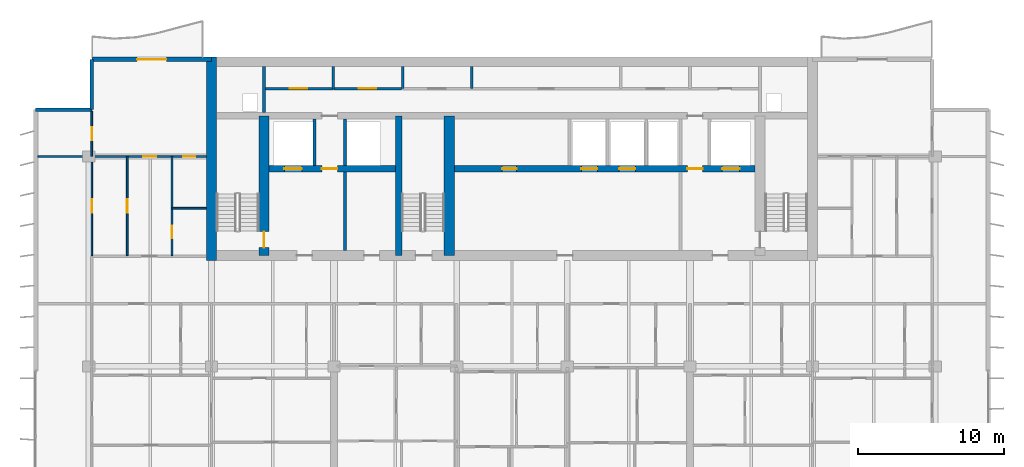
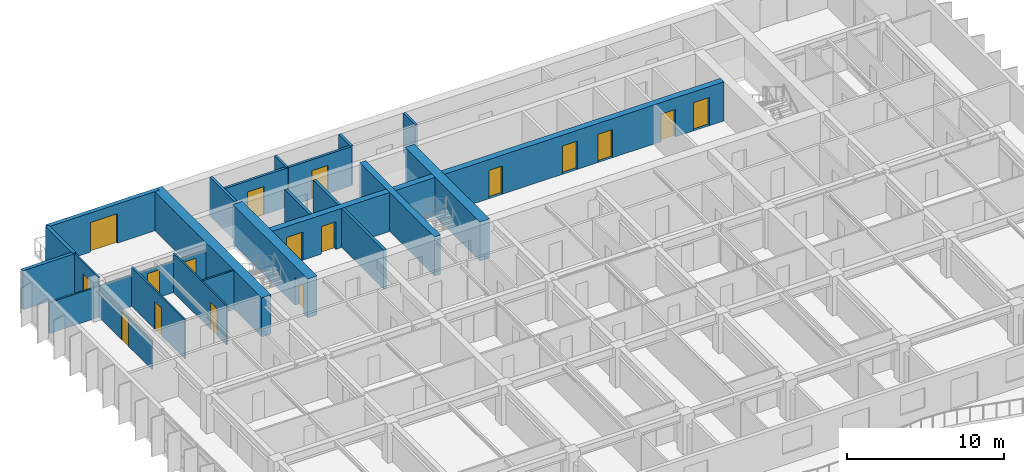
# One storey, part 12 of 18: 23 walls, 17 doors, 17 openings.
"""IFC4 building model written with IfcOpenShell, lengths in metres."""

from ifc_helpers import new_model, si_unit, direction, frame, frame_2d, origin, place, context, subcontext, project, spatial, rectangle, extrude, material, layer, layer_set, type_object, element, fill, save


model = new_model("IFC4")

# Units and contexts
model_context = context("Model", 3, precision=1e-05, world=origin(), true_north=direction((0.0, 1.0)))
body_context = subcontext(model_context, "Body", "Model", "MODEL_VIEW")
ifc_project = project(units=[si_unit("LENGTHUNIT", "METRE"), si_unit("AREAUNIT", "SQUARE_METRE"), si_unit("VOLUMEUNIT", "CUBIC_METRE"), si_unit("PLANEANGLEUNIT", "RADIAN"), si_unit("MASSUNIT", "GRAM", prefix="KILO")], contexts=[model_context])

# Site, building, storey
site_placement = place(None, origin())
site = spatial("IfcSite", under=ifc_project, at=site_placement, CompositionType="ELEMENT")
building_placement = place(site_placement, origin())
building = spatial("IfcBuilding", under=site, at=building_placement, Name="Caelmar Bay Residences", CompositionType="ELEMENT")
storey_placement = place(building_placement, frame((0.0, 0.0, 170.39990234375)))
storey = spatial("IfcBuildingStorey", under=building, at=storey_placement, Name="L47", CompositionType="ELEMENT", Elevation=170.39990234375)

# Wall
ifc_material_1 = material(Name="Concrete f'c 55 MPa (8,000 psi)", Category="concrete")
ifc_layer_1 = layer(ifc_material_1, 0.699951171875)
ifc_layer_set_1 = layer_set([ifc_layer_1], Name="Concrete f'c 55 MPa (8,000 psi)")
wall_type_1 = type_object("IfcWallType", Name="SW-COR-700", PredefinedType="SHEAR", material=ifc_layer_set_1)
wall_1_placement = place(storey_placement, frame((18.300048828125, 36.64990234375, 0.0), z_axis=(0.0, 0.0, 1.0), x_axis=(0.0, 1.0, 0.0)))
element("IfcWall", 1, at=wall_1_placement, inside=storey, type_object=wall_type_1, Name="L47 Rear Core West Shear Wall", PredefinedType="SHEAR", context=body_context, shape_type="SweptSolid", body=[
    extrude(rectangle(XDim=13.9501953125, YDim=0.699951171875, at=frame_2d((6.97509765625, 0.0))), origin(), (0.0, 0.0, 1.0), 3.050048828125),
])

# Wall, opening, door
wall_2_placement = place(storey_placement, frame((21.89990234375, 37.0, 0.0), z_axis=(0.0, 0.0, 1.0), x_axis=(0.0, 1.0, 0.0)))
wall_2 = element("IfcWall", 2, at=wall_2_placement, inside=storey, type_object=wall_type_1, Name="L47 Core Structural Web Wall ST1E", PredefinedType="SHEAR", context=body_context, shape_type="SweptSolid", body=[
    extrude(rectangle(XDim=9.574951171875, YDim=0.699951171875, at=frame_2d((4.78759765625, 0.0))), origin(), (0.0, 0.0, 1.0), 3.050048828125),
])
opening_1_placement = place(wall_2_placement, frame((0.550048828125, 0.0, 0.0)))
opening_1 = element("IfcOpeningElement", 3, at=opening_1_placement, cuts=wall_2, Name="Opening D-L47-107", PredefinedType="OPENING", context=body_context, shape_type="SweptSolid", body=[
    extrude(rectangle(XDim=1.10009765625, YDim=2.14990234375, at=frame_2d((0.550048828125, 1.074951171875))), frame((0.0, 0.35986328125, 0.0), z_axis=(0.0, -1.0, 0.0), x_axis=(1.0, 0.0, 0.0)), (0.0, 0.0, 1.0), 0.719970703125),
])
ifc_material_2 = material(Name="Fire-rated steel and walnut architectural door assembly", Category="steel")
ifc_layer_2 = layer(ifc_material_2, 0.050048828125)
ifc_layer_set_2 = layer_set([ifc_layer_2], Name="Fire-rated steel and walnut architectural door assembly")
door_type_1 = type_object("IfcDoorType", Name="D-STAIR-1100", OperationType="NOTDEFINED", PredefinedType="DOOR", material=ifc_layer_set_2)
door_1_placement = place(opening_1_placement, origin())
door_1 = element("IfcDoor", 4, at=door_1_placement, inside=storey, type_object=door_type_1, Name="L47 Firefighting Lobby West Door", OperationType="SINGLE_SWING_RIGHT", OverallHeight=2.14990234375, OverallWidth=1.10009765625, PredefinedType="DOOR", context=body_context, shape_type="SweptSolid", body=[
    extrude(rectangle(XDim=1.10009765625, YDim=2.14990234375, at=frame_2d((0.550048828125, 1.074951171875))), frame((0.0, 0.02490234375, 0.0), z_axis=(0.0, -1.0, 0.0), x_axis=(1.0, 0.0, 0.0)), (0.0, 0.0, 1.0), 0.050048828125),
])
fill(opening_1, door_1)

# Walls
wall_3_placement = place(storey_placement, frame((34.60009765625, 37.0, 0.0), z_axis=(0.0, 0.0, 1.0), x_axis=(0.0, 1.0, 0.0)))
element("IfcWall", 5, at=wall_3_placement, inside=storey, type_object=wall_type_1, Name="L47 Core Structural Web Wall ST3E", PredefinedType="SHEAR", context=body_context, shape_type="SweptSolid", body=[
    extrude(rectangle(XDim=9.574951171875, YDim=0.699951171875, at=frame_2d((4.78759765625, 0.0))), origin(), (0.0, 0.0, 1.0), 3.050048828125),
])
ifc_material_3 = material(Name="Concrete f'c 70 MPa (10,000 psi)", Category="concrete")
ifc_layer_3 = layer(ifc_material_3, 0.449951171875)
ifc_layer_set_3 = layer_set([ifc_layer_3], Name="Concrete f'c 70 MPa (10,000 psi)")
wall_type_2 = type_object("IfcWallType", Name="SW-WEB-450", PredefinedType="SHEAR", material=ifc_layer_set_3)
wall_4_placement = place(storey_placement, frame((31.125, 37.0, 0.0), z_axis=(0.0, 0.0, 1.0), x_axis=(0.0, 1.0, 0.0)))
element("IfcWall", 6, at=wall_4_placement, inside=storey, type_object=wall_type_2, Name="L47 Core Structural Web Wall ST3W", PredefinedType="SHEAR", context=body_context, shape_type="SweptSolid", body=[
    extrude(rectangle(XDim=9.574951171875, YDim=0.449951171875, at=frame_2d((4.78759765625, 0.0))), origin(), (0.0, 0.0, 1.0), 3.050048828125),
])

# Wall, openings, doors
wall_5_placement = place(storey_placement, frame((22.25, 42.949951171875, 0.0), z_axis=(0.0, 0.0, 1.0), x_axis=(1.0, 0.0, 0.0)))
wall_5 = element("IfcWall", 7, at=wall_5_placement, inside=storey, type_object=wall_type_2, Name="L47 Core Structural Web Wall LFR", PredefinedType="SHEAR", context=body_context, shape_type="SweptSolid", body=[
    extrude(rectangle(XDim=33.300048828125, YDim=0.449951171875, at=frame_2d((16.64990234375, 0.0))), origin(), (0.0, 0.0, 1.0), 3.050048828125),
])
opening_2_placement = place(wall_5_placement, frame((1.050048828125, 0.0, 0.0)))
opening_2 = element("IfcOpeningElement", 8, at=opening_2_placement, cuts=wall_5, Name="Opening LD2", PredefinedType="OPENING", context=body_context, shape_type="SweptSolid", body=[
    extrude(rectangle(XDim=1.199951171875, YDim=2.199951171875, at=frame_2d((0.60009765625, 1.10009765625))), frame((0.0, 0.23486328125, 0.0), z_axis=(0.0, -1.0, 0.0), x_axis=(1.0, 0.0, 0.0)), (0.0, 0.0, 1.0), 0.469970703125),
])
opening_3_placement = place(wall_5_placement, frame((31.050048828125, 0.0, 0.0)))
opening_3 = element("IfcOpeningElement", 9, at=opening_3_placement, cuts=wall_5, Name="Opening LD2", PredefinedType="OPENING", context=body_context, shape_type="SweptSolid", body=[
    extrude(rectangle(XDim=1.199951171875, YDim=2.199951171875, at=frame_2d((0.60009765625, 1.10009765625))), frame((0.0, 0.23486328125, 0.0), z_axis=(0.0, -1.0, 0.0), x_axis=(1.0, 0.0, 0.0)), (0.0, 0.0, 1.0), 0.469970703125),
])
opening_4_placement = place(wall_5_placement, frame((21.39990234375, 0.0, 0.0)))
opening_4 = element("IfcOpeningElement", 10, at=opening_4_placement, cuts=wall_5, Name="Opening LD1", PredefinedType="OPENING", context=body_context, shape_type="SweptSolid", body=[
    extrude(rectangle(XDim=1.10009765625, YDim=2.199951171875, at=frame_2d((0.550048828125, 1.10009765625))), frame((0.0, 0.23486328125, 0.0), z_axis=(0.0, -1.0, 0.0), x_axis=(1.0, 0.0, 0.0)), (0.0, 0.0, 1.0), 0.469970703125),
])
opening_5_placement = place(wall_5_placement, frame((24.0, 0.0, 0.0)))
opening_5 = element("IfcOpeningElement", 11, at=opening_5_placement, cuts=wall_5, Name="Opening LD1", PredefinedType="OPENING", context=body_context, shape_type="SweptSolid", body=[
    extrude(rectangle(XDim=1.10009765625, YDim=2.199951171875, at=frame_2d((0.550048828125, 1.10009765625))), frame((0.0, 0.23486328125, 0.0), z_axis=(0.0, -1.0, 0.0), x_axis=(1.0, 0.0, 0.0)), (0.0, 0.0, 1.0), 0.469970703125),
])
opening_6_placement = place(wall_5_placement, frame((3.625, 0.0, 0.0)))
opening_6 = element("IfcOpeningElement", 12, at=opening_6_placement, cuts=wall_5, Name="Opening D-L47-108", PredefinedType="OPENING", context=body_context, shape_type="SweptSolid", body=[
    extrude(rectangle(XDim=1.050048828125, YDim=2.14990234375, at=frame_2d((0.52490234375, 1.074951171875))), frame((0.0, 0.23486328125, 0.0), z_axis=(0.0, -1.0, 0.0), x_axis=(1.0, 0.0, 0.0)), (0.0, 0.0, 1.0), 0.469970703125),
])
opening_7_placement = place(wall_5_placement, frame((28.675048828125, 0.0, 0.0)))
opening_7 = element("IfcOpeningElement", 13, at=opening_7_placement, cuts=wall_5, Name="Opening D-L47-111", PredefinedType="OPENING", context=body_context, shape_type="SweptSolid", body=[
    extrude(rectangle(XDim=1.050048828125, YDim=2.14990234375, at=frame_2d((0.52490234375, 1.074951171875))), frame((0.0, 0.23486328125, 0.0), z_axis=(0.0, -1.0, 0.0), x_axis=(1.0, 0.0, 0.0)), (0.0, 0.0, 1.0), 0.469970703125),
])
opening_8_placement = place(wall_5_placement, frame((15.97509765625, 0.0, 0.0)))
opening_8 = element("IfcOpeningElement", 14, at=opening_8_placement, cuts=wall_5, Name="Opening D-L47-114", PredefinedType="OPENING", context=body_context, shape_type="SweptSolid", body=[
    extrude(rectangle(XDim=1.0, YDim=2.199951171875, at=frame_2d((0.5, 1.10009765625))), frame((0.0, 0.23486328125, 0.0), z_axis=(0.0, -1.0, 0.0), x_axis=(1.0, 0.0, 0.0)), (0.0, 0.0, 1.0), 0.469970703125),
])
ifc_layer_4 = layer(ifc_material_2, 0.050048828125)
ifc_layer_set_4 = layer_set([ifc_layer_4], Name="Fire-rated steel and walnut architectural door assembly")
door_type_2 = type_object("IfcDoorType", Name="D-FSAE-1050", OperationType="NOTDEFINED", PredefinedType="DOOR", material=ifc_layer_set_4)
door_2_placement = place(opening_6_placement, origin())
door_2 = element("IfcDoor", 15, at=door_2_placement, inside=storey, type_object=door_type_2, Name="L47 Firefighting Lobby West Door", OperationType="SINGLE_SWING_LEFT", OverallHeight=2.14990234375, OverallWidth=1.050048828125, PredefinedType="DOOR", context=body_context, shape_type="SweptSolid", body=[
    extrude(rectangle(XDim=1.050048828125, YDim=2.14990234375, at=frame_2d((0.52490234375, 1.074951171875))), frame((0.0, 0.02490234375, 0.0), z_axis=(0.0, -1.0, 0.0), x_axis=(1.0, 0.0, 0.0)), (0.0, 0.0, 1.0), 0.050048828125),
])
fill(opening_6, door_2)
door_3_placement = place(opening_7_placement, origin())
door_3 = element("IfcDoor", 16, at=door_3_placement, inside=storey, type_object=door_type_2, Name="L47 Firefighting Lobby East Door", OperationType="SINGLE_SWING_RIGHT", OverallHeight=2.14990234375, OverallWidth=1.050048828125, PredefinedType="DOOR", context=body_context, shape_type="SweptSolid", body=[
    extrude(rectangle(XDim=1.050048828125, YDim=2.14990234375, at=frame_2d((0.52490234375, 1.074951171875))), frame((0.0, 0.02490234375, 0.0), z_axis=(0.0, -1.0, 0.0), x_axis=(1.0, 0.0, 0.0)), (0.0, 0.0, 1.0), 0.050048828125),
])
fill(opening_7, door_3)
ifc_material_4 = material(Name="Brushed bronze stainless-steel fire-rated lift landing doors", Category="steel")
ifc_layer_5 = layer(ifc_material_4, 0.050048828125)
ifc_layer_set_5 = layer_set([ifc_layer_5], Name="Brushed bronze stainless-steel fire-rated lift landing doors")
door_type_3 = type_object("IfcDoorType", Name="D-LND-1100", OperationType="DOUBLE_DOOR_SLIDING", PredefinedType="DOOR", material=ifc_layer_set_5)
door_4_placement = place(opening_4_placement, origin())
door_4 = element("IfcDoor", 17, at=door_4_placement, inside=storey, type_object=door_type_3, Name="L47 LP4 Sliding Landing Door", OperationType="DOUBLE_DOOR_SLIDING", OverallHeight=2.199951171875, OverallWidth=1.10009765625, PredefinedType="DOOR", context=body_context, shape_type="SweptSolid", body=[
    extrude(rectangle(XDim=1.10009765625, YDim=2.199951171875, at=frame_2d((0.550048828125, 1.10009765625))), frame((0.0, 0.02490234375, 0.0), z_axis=(0.0, -1.0, 0.0), x_axis=(1.0, 0.0, 0.0)), (0.0, 0.0, 1.0), 0.050048828125),
])
fill(opening_4, door_4)
door_5_placement = place(opening_5_placement, origin())
door_5 = element("IfcDoor", 18, at=door_5_placement, inside=storey, type_object=door_type_3, Name="L47 LP5 Sliding Landing Door", OperationType="DOUBLE_DOOR_SLIDING", OverallHeight=2.199951171875, OverallWidth=1.10009765625, PredefinedType="DOOR", context=body_context, shape_type="SweptSolid", body=[
    extrude(rectangle(XDim=1.10009765625, YDim=2.199951171875, at=frame_2d((0.550048828125, 1.10009765625))), frame((0.0, 0.02490234375, 0.0), z_axis=(0.0, -1.0, 0.0), x_axis=(1.0, 0.0, 0.0)), (0.0, 0.0, 1.0), 0.050048828125),
])
fill(opening_5, door_5)
ifc_material_5 = material(Name="Brushed stainless-steel FSAE sliding landing door", Category="steel")
ifc_layer_6 = layer(ifc_material_5, 0.050048828125)
ifc_layer_set_6 = layer_set([ifc_layer_6], Name="Brushed stainless-steel FSAE sliding landing door")
door_type_4 = type_object("IfcDoorType", Name="D-LND-1200", OperationType="DOUBLE_DOOR_SLIDING", PredefinedType="DOOR", material=ifc_layer_set_6)
door_6_placement = place(opening_2_placement, origin())
door_6 = element("IfcDoor", 19, at=door_6_placement, inside=storey, type_object=door_type_4, Name="L47 LF1 Sliding Landing Door", OperationType="DOUBLE_DOOR_SLIDING", OverallHeight=2.199951171875, OverallWidth=1.199951171875, PredefinedType="DOOR", context=body_context, shape_type="SweptSolid", body=[
    extrude(rectangle(XDim=1.199951171875, YDim=2.199951171875, at=frame_2d((0.60009765625, 1.10009765625))), frame((0.0, 0.02490234375, 0.0), z_axis=(0.0, -1.0, 0.0), x_axis=(1.0, 0.0, 0.0)), (0.0, 0.0, 1.0), 0.050048828125),
])
fill(opening_2, door_6)
door_7_placement = place(opening_3_placement, origin())
door_7 = element("IfcDoor", 20, at=door_7_placement, inside=storey, type_object=door_type_4, Name="L47 LF2 Sliding Landing Door", OperationType="DOUBLE_DOOR_SLIDING", OverallHeight=2.199951171875, OverallWidth=1.199951171875, PredefinedType="DOOR", context=body_context, shape_type="SweptSolid", body=[
    extrude(rectangle(XDim=1.199951171875, YDim=2.199951171875, at=frame_2d((0.60009765625, 1.10009765625))), frame((0.0, 0.02490234375, 0.0), z_axis=(0.0, -1.0, 0.0), x_axis=(1.0, 0.0, 0.0)), (0.0, 0.0, 1.0), 0.050048828125),
])
fill(opening_3, door_7)
ifc_layer_7 = layer(ifc_material_2, 0.050048828125)
ifc_layer_set_7 = layer_set([ifc_layer_7], Name="Fire-rated steel and walnut architectural door assembly")
door_type_5 = type_object("IfcDoorType", Name="D-UNIT-1000", OperationType="NOTDEFINED", PredefinedType="DOOR", material=ifc_layer_set_7)
door_8_placement = place(opening_8_placement, origin())
door_8 = element("IfcDoor", 21, at=door_8_placement, inside=storey, type_object=door_type_5, Name="L47 Quiet Reading Study Door", OperationType="SINGLE_SWING_LEFT", OverallHeight=2.199951171875, OverallWidth=1.0, PredefinedType="DOOR", context=body_context, shape_type="SweptSolid", body=[
    extrude(rectangle(XDim=1.0, YDim=2.199951171875, at=frame_2d((0.5, 1.10009765625))), frame((0.0, 0.02490234375, 0.0), z_axis=(0.0, -1.0, 0.0), x_axis=(1.0, 0.0, 0.0)), (0.0, 0.0, 1.0), 0.050048828125),
])
fill(opening_8, door_8)

# Walls
ifc_material_6 = material(Name="Double-stud acoustic fire-rated gypsum partition 180 mm")
ifc_layer_8 = layer(ifc_material_6, 0.179931640625)
ifc_layer_set_8 = layer_set([ifc_layer_8], Name="Double-stud acoustic fire-rated gypsum partition 180 mm")
wall_type_3 = type_object("IfcWallType", Name="W-COR-200", PredefinedType="PARTITIONING", material=ifc_layer_set_8)
for number, where, z_axis, x_axis, name in (
    (22, (26.64990234375, 48.449951171875, 0.0), (0.0, 0.0, 1.0), (0.0, 1.0, 0.0), "L47 Partition Wall V023"),
    (23, (31.39990234375, 48.449951171875, 0.0), (0.0, 0.0, 1.0), (0.0, 1.0, 0.0), "L47 Partition Wall V034"),
    (24, (36.14990234375, 48.449951171875, 0.0), (0.0, 0.0, 1.0), (0.0, 1.0, 0.0), "L47 Partition Wall V041"),
):
    element("IfcWall", number, at=place(storey_placement, frame(where, z_axis=z_axis, x_axis=x_axis)), inside=storey, type_object=wall_type_3, Name=name, PredefinedType="PARTITIONING", context=body_context, shape_type="SweptSolid", body=[
        extrude(rectangle(XDim=1.505126953125, YDim=0.179931640625, at=frame_2d((0.75244140625, 0.0))), origin(), (0.0, 0.0, 1.0), 3.050048828125),
    ])

# Wall, opening, door
wall_6_placement = place(storey_placement, frame((21.89990234375, 48.449951171875, 0.0), z_axis=(0.0, 0.0, 1.0), x_axis=(1.0, 0.0, 0.0)))
wall_6 = element("IfcWall", 25, at=wall_6_placement, inside=storey, type_object=wall_type_3, Name="L47 Partition Wall H126", PredefinedType="PARTITIONING", context=body_context, shape_type="SweptSolid", body=[
    extrude(rectangle(XDim=4.75, YDim=0.179931640625, at=frame_2d((2.375, 0.0))), origin(), (0.0, 0.0, 1.0), 3.050048828125),
])
opening_9_placement = place(wall_6_placement, frame((1.77490234375, 0.0, 0.0)))
opening_9 = element("IfcOpeningElement", 26, at=opening_9_placement, cuts=wall_6, Name="Opening D-L47-117", PredefinedType="OPENING", context=body_context, shape_type="SweptSolid", body=[
    extrude(rectangle(XDim=1.199951171875, YDim=2.199951171875, at=frame_2d((0.60009765625, 1.10009765625))), frame((0.0, 0.099853515625, 0.0), z_axis=(0.0, -1.0, 0.0), x_axis=(1.0, 0.0, 0.0)), (0.0, 0.0, 1.0), 0.199951171875),
])
ifc_layer_9 = layer(ifc_material_2, 0.050048828125)
ifc_layer_set_9 = layer_set([ifc_layer_9], Name="Fire-rated steel and walnut architectural door assembly")
door_type_6 = type_object("IfcDoorType", Name="D-PLANT-1200", OperationType="NOTDEFINED", PredefinedType="DOOR", material=ifc_layer_set_9)
door_9_placement = place(opening_9_placement, origin())
door_9 = element("IfcDoor", 27, at=door_9_placement, inside=storey, type_object=door_type_6, Name="L47 Branch Panel Closet Door", OperationType="SINGLE_SWING_RIGHT", OverallHeight=2.199951171875, OverallWidth=1.199951171875, PredefinedType="DOOR", context=body_context, shape_type="SweptSolid", body=[
    extrude(rectangle(XDim=1.199951171875, YDim=2.199951171875, at=frame_2d((0.60009765625, 1.10009765625))), frame((0.0, 0.02490234375, 0.0), z_axis=(0.0, -1.0, 0.0), x_axis=(1.0, 0.0, 0.0)), (0.0, 0.0, 1.0), 0.050048828125),
])
fill(opening_9, door_9)

wall_7_placement = place(storey_placement, frame((26.699951171875, 48.449951171875, 0.0), z_axis=(0.0, 0.0, 1.0), x_axis=(1.0, 0.0, 0.0)))
wall_7 = element("IfcWall", 28, at=wall_7_placement, inside=storey, type_object=wall_type_3, Name="L47 Partition Wall H127", PredefinedType="PARTITIONING", context=body_context, shape_type="SweptSolid", body=[
    extrude(rectangle(XDim=4.6201171875, YDim=0.179931640625, at=frame_2d((2.31005859375, 0.0))), origin(), (0.0, 0.0, 1.0), 3.050048828125),
])
opening_10_placement = place(wall_7_placement, frame((1.7099609375, 0.0, 0.0)))
opening_10 = element("IfcOpeningElement", 29, at=opening_10_placement, cuts=wall_7, Name="Opening D-L47-118", PredefinedType="OPENING", context=body_context, shape_type="SweptSolid", body=[
    extrude(rectangle(XDim=1.199951171875, YDim=2.199951171875, at=frame_2d((0.60009765625, 1.10009765625))), frame((0.0, 0.099853515625, 0.0), z_axis=(0.0, -1.0, 0.0), x_axis=(1.0, 0.0, 0.0)), (0.0, 0.0, 1.0), 0.199951171875),
])
door_10_placement = place(opening_10_placement, origin())
door_10 = element("IfcDoor", 30, at=door_10_placement, inside=storey, type_object=door_type_6, Name="L47 Water Meter Closet Door", OperationType="SINGLE_SWING_LEFT", OverallHeight=2.199951171875, OverallWidth=1.199951171875, PredefinedType="DOOR", context=body_context, shape_type="SweptSolid", body=[
    extrude(rectangle(XDim=1.199951171875, YDim=2.199951171875, at=frame_2d((0.60009765625, 1.10009765625))), frame((0.0, 0.02490234375, 0.0), z_axis=(0.0, -1.0, 0.0), x_axis=(1.0, 0.0, 0.0)), (0.0, 0.0, 1.0), 0.050048828125),
])
fill(opening_10, door_10)

# Walls
ifc_material_7 = material(Name="Precast concrete f'c 40 MPa (6,000 psi)", Category="concrete")
ifc_layer_10 = layer(ifc_material_7, 0.25)
ifc_layer_set_10 = layer_set([ifc_layer_10], Name="Precast concrete f'c 40 MPa (6,000 psi)")
wall_type_4 = type_object("IfcWallType", Name="W-EXT-250", PredefinedType="ELEMENTEDWALL", material=ifc_layer_set_10)
wall_8_placement = place(storey_placement, frame((6.25, 47.0, 0.0), z_axis=(0.0, 0.0, 1.0), x_axis=(1.0, 0.0, 0.0)))
element("IfcWall", 31, at=wall_8_placement, inside=storey, type_object=wall_type_4, Name="L47 NNW-H Notch Wall", PredefinedType="ELEMENTEDWALL", context=body_context, shape_type="SweptSolid", body=[
    extrude(rectangle(XDim=3.85009765625, YDim=0.25, at=frame_2d((1.925048828125, 0.0))), origin(), (0.0, 0.0, 1.0), 3.050048828125),
])
wall_9_placement = place(storey_placement, frame((10.10009765625, 47.0, 0.0), z_axis=(0.0, 0.0, 1.0), x_axis=(0.0, 1.0, 0.0)))
element("IfcWall", 32, at=wall_9_placement, inside=storey, type_object=wall_type_4, Name="L47 NNW-V Notch Wall", PredefinedType="ELEMENTEDWALL", context=body_context, shape_type="SweptSolid", body=[
    extrude(rectangle(XDim=3.449951171875, YDim=0.25, at=frame_2d((1.72509765625, 0.0))), origin(), (0.0, 0.0, 1.0), 3.050048828125),
])

# Wall, opening, door
ifc_layer_11 = layer(ifc_material_7, 0.300048828125)
ifc_layer_set_11 = layer_set([ifc_layer_11], Name="Precast concrete f'c 40 MPa (6,000 psi)")
wall_type_5 = type_object("IfcWallType", Name="W-EXT-300", PredefinedType="STANDARD", material=ifc_layer_set_11)
wall_10_placement = place(storey_placement, frame((10.10009765625, 50.449951171875, 0.0), z_axis=(0.0, 0.0, 1.0), x_axis=(1.0, 0.0, 0.0)))
wall_10 = element("IfcWall", 33, at=wall_10_placement, inside=storey, type_object=wall_type_5, Name="L47 North-West Wing Exterior Wall", PredefinedType="STANDARD", context=body_context, shape_type="SweptSolid", body=[
    extrude(rectangle(XDim=8.199951171875, YDim=0.300048828125, at=frame_2d((4.10009765625, 0.0))), origin(), (0.0, 0.0, 1.0), 3.050048828125),
])
opening_11_placement = place(wall_10_placement, frame((3.10009765625, 0.0, 0.0)))
opening_11 = element("IfcOpeningElement", 34, at=opening_11_placement, cuts=wall_10, Name="Opening L47-BDNW", PredefinedType="OPENING", context=body_context, shape_type="SweptSolid", body=[
    extrude(rectangle(XDim=2.0, YDim=2.300048828125, at=frame_2d((1.0, 1.14990234375))), frame((0.0, 0.159912109375, 0.0), z_axis=(0.0, -1.0, 0.0), x_axis=(1.0, 0.0, 0.0)), (0.0, 0.0, 1.0), 0.320068359375),
])
ifc_material_8 = material(Name="Anodised bronze thermally broken sliding glass door", Category="glass")
ifc_layer_12 = layer(ifc_material_8, 0.050048828125)
ifc_layer_set_12 = layer_set([ifc_layer_12], Name="Anodised bronze thermally broken sliding glass door")
door_type_7 = type_object("IfcDoorType", Name="D-BAL-2000", OperationType="DOUBLE_DOOR_SLIDING", PredefinedType="DOOR", material=ifc_layer_set_12)
door_11_placement = place(opening_11_placement, origin())
door_11 = element("IfcDoor", 35, at=door_11_placement, inside=storey, type_object=door_type_7, Name="L47 North-West Balcony Door", OperationType="DOUBLE_DOOR_SLIDING", OverallHeight=2.300048828125, OverallWidth=2.0, PredefinedType="DOOR", context=body_context, shape_type="SweptSolid", body=[
    extrude(rectangle(XDim=2.0, YDim=2.300048828125, at=frame_2d((1.0, 1.14990234375))), frame((0.0, 0.02490234375, 0.0), z_axis=(0.0, -1.0, 0.0), x_axis=(1.0, 0.0, 0.0)), (0.0, 0.0, 1.0), 0.050048828125),
])
fill(opening_11, door_11)

# Walls
ifc_material_9 = material(Name="Fire-rated masonry and gypsum shaftliner assembly 200 mm", Category="masonry")
ifc_layer_13 = layer(ifc_material_9, 0.199951171875)
ifc_layer_set_13 = layer_set([ifc_layer_13], Name="Fire-rated masonry and gypsum shaftliner assembly 200 mm")
wall_type_6 = type_object("IfcWallType", Name="W-FSAE-200", PredefinedType="PARTITIONING", material=ifc_layer_set_13)
wall_11_placement = place(storey_placement, frame((21.89990234375, 46.794921875, 0.0), z_axis=(0.0, 0.0, 1.0), x_axis=(0.0, 1.0, 0.0)))
element("IfcWall", 36, at=wall_11_placement, inside=storey, type_object=wall_type_6, Name="L47 Partition Wall V018", PredefinedType="PARTITIONING", context=body_context, shape_type="SweptSolid", body=[
    extrude(rectangle(XDim=3.16015625, YDim=0.199951171875, at=frame_2d((1.580078125, 0.0))), origin(), (0.0, 0.0, 1.0), 3.050048828125),
])
wall_12_placement = place(storey_placement, frame((25.35009765625, 43.169921875, 0.0), z_axis=(0.0, 0.0, 1.0), x_axis=(0.0, 1.0, 0.0)))
element("IfcWall", 37, at=wall_12_placement, inside=storey, type_object=wall_type_6, Name="L47 Partition Wall V022", PredefinedType="PARTITIONING", context=body_context, shape_type="SweptSolid", body=[
    extrude(rectangle(XDim=3.18505859375, YDim=0.199951171875, at=frame_2d((1.592529296875, 0.0))), origin(), (0.0, 0.0, 1.0), 3.050048828125),
])
wall_13_placement = place(storey_placement, frame((27.449951171875, 37.344970703125, 0.0), z_axis=(0.0, 0.0, 1.0), x_axis=(0.0, 1.0, 0.0)))
element("IfcWall", 38, at=wall_13_placement, inside=storey, type_object=wall_type_6, Name="L47 Partition Wall V027", PredefinedType="PARTITIONING", context=body_context, shape_type="SweptSolid", body=[
    extrude(rectangle(XDim=5.385009765625, YDim=0.199951171875, at=frame_2d((2.6923828125, 0.0))), origin(), (0.0, 0.0, 1.0), 3.050048828125),
])
wall_14_placement = place(storey_placement, frame((27.449951171875, 43.169921875, 0.0), z_axis=(0.0, 0.0, 1.0), x_axis=(0.0, 1.0, 0.0)))
element("IfcWall", 39, at=wall_14_placement, inside=storey, type_object=wall_type_6, Name="L47 Partition Wall V028", PredefinedType="PARTITIONING", context=body_context, shape_type="SweptSolid", body=[
    extrude(rectangle(XDim=3.18505859375, YDim=0.199951171875, at=frame_2d((1.592529296875, 0.0))), origin(), (0.0, 0.0, 1.0), 3.050048828125),
])

# Wall, opening, door
ifc_material_10 = material(Name="Anodised bronze framed acoustic sliding study partition 100 mm")
ifc_layer_14 = layer(ifc_material_10, 0.10009765625)
ifc_layer_set_14 = layer_set([ifc_layer_14], Name="Anodised bronze framed acoustic sliding study partition 100 mm")
wall_type_7 = type_object("IfcWallType", Name="W-MOV-100", PredefinedType="MOVABLE", material=ifc_layer_set_14)
wall_15_placement = place(storey_placement, frame((10.10009765625, 37.0, 0.0), z_axis=(0.0, 0.0, 1.0), x_axis=(0.0, 1.0, 0.0)))
wall_15 = element("IfcWall", 40, at=wall_15_placement, inside=storey, type_object=wall_type_7, Name="L47 Partition Wall V006", PredefinedType="MOVABLE", context=body_context, shape_type="SweptSolid", body=[
    extrude(rectangle(XDim=6.800048828125, YDim=0.10009765625, at=frame_2d((3.39990234375, 0.0))), origin(), (0.0, 0.0, 1.0), 2.26318359375),
])
opening_12_placement = place(wall_15_placement, frame((2.949951171875, 0.0, 0.0)))
opening_12 = element("IfcOpeningElement", 41, at=opening_12_placement, cuts=wall_15, Name="Opening D-L47-170", PredefinedType="OPENING", context=body_context, shape_type="SweptSolid", body=[
    extrude(rectangle(XDim=0.89990234375, YDim=2.14990234375, at=frame_2d((0.449951171875, 1.074951171875))), frame((0.0, 0.06005859375, 0.0), z_axis=(0.0, -1.0, 0.0), x_axis=(1.0, 0.0, 0.0)), (0.0, 0.0, 1.0), 0.1201171875),
])
ifc_material_11 = material(Name="Solid walnut timber interior door leaf and frame", Category="wood")
ifc_layer_15 = layer(ifc_material_11, 0.050048828125)
ifc_layer_set_15 = layer_set([ifc_layer_15], Name="Solid walnut timber interior door leaf and frame")
door_type_8 = type_object("IfcDoorType", Name="D-ROOM-900", OperationType="NOTDEFINED", PredefinedType="DOOR", material=ifc_layer_set_15)
door_12_placement = place(opening_12_placement, origin())
door_12 = element("IfcDoor", 42, at=door_12_placement, inside=storey, type_object=door_type_8, Name="L47 Residence WA Sun Study Door", OperationType="SINGLE_SWING_LEFT", OverallHeight=2.14990234375, OverallWidth=0.89990234375, PredefinedType="DOOR", context=body_context, shape_type="SweptSolid", body=[
    extrude(rectangle(XDim=0.89990234375, YDim=2.14990234375, at=frame_2d((0.449951171875, 1.074951171875))), frame((0.0, 0.02490234375, 0.0), z_axis=(0.0, -1.0, 0.0), x_axis=(1.0, 0.0, 0.0)), (0.0, 0.0, 1.0), 0.050048828125),
])
fill(opening_12, door_12)

ifc_material_12 = material(Name="Acoustic metal-stud gypsum partition 120 mm")
ifc_layer_16 = layer(ifc_material_12, 0.1201171875)
ifc_layer_set_16 = layer_set([ifc_layer_16], Name="Acoustic metal-stud gypsum partition 120 mm")
wall_type_8 = type_object("IfcWallType", Name="W-PRT-120", PredefinedType="PARTITIONING", material=ifc_layer_set_16)
wall_16_placement = place(storey_placement, frame((10.10009765625, 43.804931640625, 0.0), z_axis=(0.0, 0.0, 1.0), x_axis=(0.0, 1.0, 0.0)))
wall_16 = element("IfcWall", 43, at=wall_16_placement, inside=storey, type_object=wall_type_8, Name="L47 Partition Wall V007", PredefinedType="PARTITIONING", context=body_context, shape_type="SweptSolid", body=[
    extrude(rectangle(XDim=3.074951171875, YDim=0.1201171875, at=frame_2d((1.53759765625, 0.0))), origin(), (0.0, 0.0, 1.0), 3.050048828125),
])
opening_13_placement = place(wall_16_placement, frame((1.08740234375, 0.0, 0.0)))
opening_13 = element("IfcOpeningElement", 44, at=opening_13_placement, cuts=wall_16, Name="Opening D-L47-171", PredefinedType="OPENING", context=body_context, shape_type="SweptSolid", body=[
    extrude(rectangle(XDim=0.89990234375, YDim=2.14990234375, at=frame_2d((0.449951171875, 1.074951171875))), frame((0.0, 0.070068359375, 0.0), z_axis=(0.0, -1.0, 0.0), x_axis=(1.0, 0.0, 0.0)), (0.0, 0.0, 1.0), 0.14013671875),
])
door_13_placement = place(opening_13_placement, origin())
door_13 = element("IfcDoor", 45, at=door_13_placement, inside=storey, type_object=door_type_8, Name="L47 Residence WA North Sitting Alcove Door", OperationType="SINGLE_SWING_RIGHT", OverallHeight=2.14990234375, OverallWidth=0.89990234375, PredefinedType="DOOR", context=body_context, shape_type="SweptSolid", body=[
    extrude(rectangle(XDim=0.89990234375, YDim=2.14990234375, at=frame_2d((0.449951171875, 1.074951171875))), frame((0.0, 0.02490234375, 0.0), z_axis=(0.0, -1.0, 0.0), x_axis=(1.0, 0.0, 0.0)), (0.0, 0.0, 1.0), 0.050048828125),
])
fill(opening_13, door_13)

wall_17_placement = place(storey_placement, frame((12.52001953125, 37.0, 0.0), z_axis=(0.0, 0.0, 1.0), x_axis=(0.0, 1.0, 0.0)))
wall_17 = element("IfcWall", 46, at=wall_17_placement, inside=storey, type_object=wall_type_8, Name="L47 Partition Wall V008", PredefinedType="PARTITIONING", context=body_context, shape_type="SweptSolid", body=[
    extrude(rectangle(XDim=6.800048828125, YDim=0.1201171875, at=frame_2d((3.39990234375, 0.0))), origin(), (0.0, 0.0, 1.0), 3.050048828125),
])
opening_14_placement = place(wall_17_placement, frame((2.949951171875, 0.0, 0.0)))
opening_14 = element("IfcOpeningElement", 47, at=opening_14_placement, cuts=wall_17, Name="Opening D-L47-165", PredefinedType="OPENING", context=body_context, shape_type="SweptSolid", body=[
    extrude(rectangle(XDim=0.89990234375, YDim=2.14990234375, at=frame_2d((0.449951171875, 1.074951171875))), frame((0.0, 0.070068359375, 0.0), z_axis=(0.0, -1.0, 0.0), x_axis=(1.0, 0.0, 0.0)), (0.0, 0.0, 1.0), 0.14013671875),
])
door_14_placement = place(opening_14_placement, origin())
door_14 = element("IfcDoor", 48, at=door_14_placement, inside=storey, type_object=door_type_8, Name="L47 Residence WA Dining Room Door", OperationType="SINGLE_SWING_RIGHT", OverallHeight=2.14990234375, OverallWidth=0.89990234375, PredefinedType="DOOR", context=body_context, shape_type="SweptSolid", body=[
    extrude(rectangle(XDim=0.89990234375, YDim=2.14990234375, at=frame_2d((0.449951171875, 1.074951171875))), frame((0.0, 0.02490234375, 0.0), z_axis=(0.0, -1.0, 0.0), x_axis=(1.0, 0.0, 0.0)), (0.0, 0.0, 1.0), 0.050048828125),
])
fill(opening_14, door_14)

wall_18_placement = place(storey_placement, frame((15.60009765625, 37.0, 0.0), z_axis=(0.0, 0.0, 1.0), x_axis=(0.0, 1.0, 0.0)))
wall_18 = element("IfcWall", 49, at=wall_18_placement, inside=storey, type_object=wall_type_8, Name="L47 Partition Wall V009", PredefinedType="PARTITIONING", context=body_context, shape_type="SweptSolid", body=[
    extrude(rectangle(XDim=6.800048828125, YDim=0.1201171875, at=frame_2d((3.39990234375, 0.0))), origin(), (0.0, 0.0, 1.0), 3.050048828125),
])
opening_15_placement = place(wall_18_placement, frame((1.194091796875, 0.0, 0.0)))
opening_15 = element("IfcOpeningElement", 50, at=opening_15_placement, cuts=wall_18, Name="Opening D-L47-168", PredefinedType="OPENING", context=body_context, shape_type="SweptSolid", body=[
    extrude(rectangle(XDim=0.85009765625, YDim=2.10009765625, at=frame_2d((0.425048828125, 1.050048828125))), frame((0.0, 0.070068359375, 0.0), z_axis=(0.0, -1.0, 0.0), x_axis=(1.0, 0.0, 0.0)), (0.0, 0.0, 1.0), 0.14013671875),
])
ifc_layer_17 = layer(ifc_material_11, 0.050048828125)
ifc_layer_set_17 = layer_set([ifc_layer_17], Name="Solid walnut timber interior door leaf and frame")
door_type_9 = type_object("IfcDoorType", Name="D-BATH-850", OperationType="NOTDEFINED", PredefinedType="DOOR", material=ifc_layer_set_17)
door_15_placement = place(opening_15_placement, origin())
door_15 = element("IfcDoor", 51, at=door_15_placement, inside=storey, type_object=door_type_9, Name="L47 Residence WA Walk-In Closet Door", OperationType="SINGLE_SWING_LEFT", OverallHeight=2.10009765625, OverallWidth=0.85009765625, PredefinedType="DOOR", context=body_context, shape_type="SweptSolid", body=[
    extrude(rectangle(XDim=0.85009765625, YDim=2.10009765625, at=frame_2d((0.425048828125, 1.050048828125))), frame((0.0, 0.02490234375, 0.0), z_axis=(0.0, -1.0, 0.0), x_axis=(1.0, 0.0, 0.0)), (0.0, 0.0, 1.0), 0.050048828125),
])
fill(opening_15, door_15)

# Wall
wall_19_placement = place(storey_placement, frame((15.60009765625, 40.238037109375, 0.0), z_axis=(0.0, 0.0, 1.0), x_axis=(1.0, 0.0, 0.0)))
element("IfcWall", 52, at=wall_19_placement, inside=storey, type_object=wall_type_8, Name="L47 Partition Wall H122", PredefinedType="PARTITIONING", context=body_context, shape_type="SweptSolid", body=[
    extrude(rectangle(XDim=2.35498046875, YDim=0.1201171875, at=frame_2d((1.177490234375, 0.0))), origin(), (0.0, 0.0, 1.0), 3.050048828125),
])

# Wall, openings, doors
wall_20_placement = place(storey_placement, frame((6.39501953125, 43.800048828125, 0.0), z_axis=(0.0, 0.0, 1.0), x_axis=(1.0, 0.0, 0.0)))
wall_20 = element("IfcWall", 53, at=wall_20_placement, inside=storey, type_object=wall_type_8, Name="L47 Partition Wall H124", PredefinedType="PARTITIONING", context=body_context, shape_type="SweptSolid", body=[
    extrude(rectangle(XDim=11.56005859375, YDim=0.1201171875, at=frame_2d((5.780029296875, 0.0))), origin(), (0.0, 0.0, 1.0), 2.418212890625),
])
opening_16_placement = place(wall_20_placement, frame((7.215087890625, 0.0, 0.0)))
opening_16 = element("IfcOpeningElement", 54, at=opening_16_placement, cuts=wall_20, Name="Opening D-L47-167", PredefinedType="OPENING", context=body_context, shape_type="SweptSolid", body=[
    extrude(rectangle(XDim=0.89990234375, YDim=2.14990234375, at=frame_2d((0.449951171875, 1.074951171875))), frame((0.0, 0.070068359375, 0.0), z_axis=(0.0, -1.0, 0.0), x_axis=(1.0, 0.0, 0.0)), (0.0, 0.0, 1.0), 0.14013671875),
])
opening_17_placement = place(wall_20_placement, frame((9.95751953125, 0.0, 0.0)))
opening_17 = element("IfcOpeningElement", 55, at=opening_17_placement, cuts=wall_20, Name="Opening D-L47-169", PredefinedType="OPENING", context=body_context, shape_type="SweptSolid", body=[
    extrude(rectangle(XDim=0.85009765625, YDim=2.10009765625, at=frame_2d((0.425048828125, 1.050048828125))), frame((0.0, 0.070068359375, 0.0), z_axis=(0.0, -1.0, 0.0), x_axis=(1.0, 0.0, 0.0)), (0.0, 0.0, 1.0), 0.14013671875),
])
door_16_placement = place(opening_17_placement, origin())
door_16 = element("IfcDoor", 56, at=door_16_placement, inside=storey, type_object=door_type_9, Name="L47 Residence WA Bathroom Door", OperationType="SINGLE_SWING_RIGHT", OverallHeight=2.10009765625, OverallWidth=0.85009765625, PredefinedType="DOOR", context=body_context, shape_type="SweptSolid", body=[
    extrude(rectangle(XDim=0.85009765625, YDim=2.10009765625, at=frame_2d((0.425048828125, 1.050048828125))), frame((0.0, 0.02490234375, 0.0), z_axis=(0.0, -1.0, 0.0), x_axis=(1.0, 0.0, 0.0)), (0.0, 0.0, 1.0), 0.050048828125),
])
fill(opening_17, door_16)
door_17_placement = place(opening_16_placement, origin())
door_17 = element("IfcDoor", 57, at=door_17_placement, inside=storey, type_object=door_type_8, Name="L47 Residence WA Studio Living and Sleeping Room Door", OperationType="SINGLE_SWING_RIGHT", OverallHeight=2.14990234375, OverallWidth=0.89990234375, PredefinedType="DOOR", context=body_context, shape_type="SweptSolid", body=[
    extrude(rectangle(XDim=0.89990234375, YDim=2.14990234375, at=frame_2d((0.449951171875, 1.074951171875))), frame((0.0, 0.02490234375, 0.0), z_axis=(0.0, -1.0, 0.0), x_axis=(1.0, 0.0, 0.0)), (0.0, 0.0, 1.0), 0.050048828125),
])
fill(opening_16, door_17)

save(model, "model.ifc")
